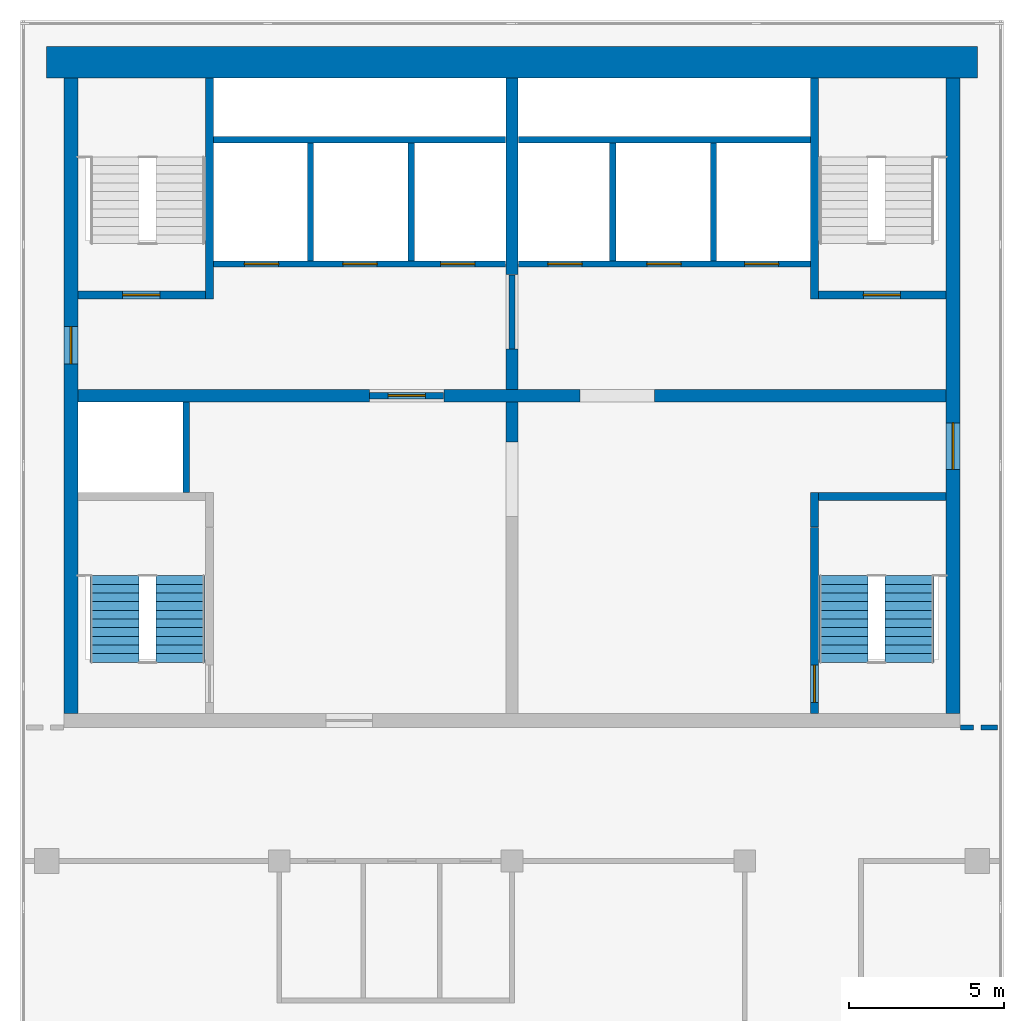
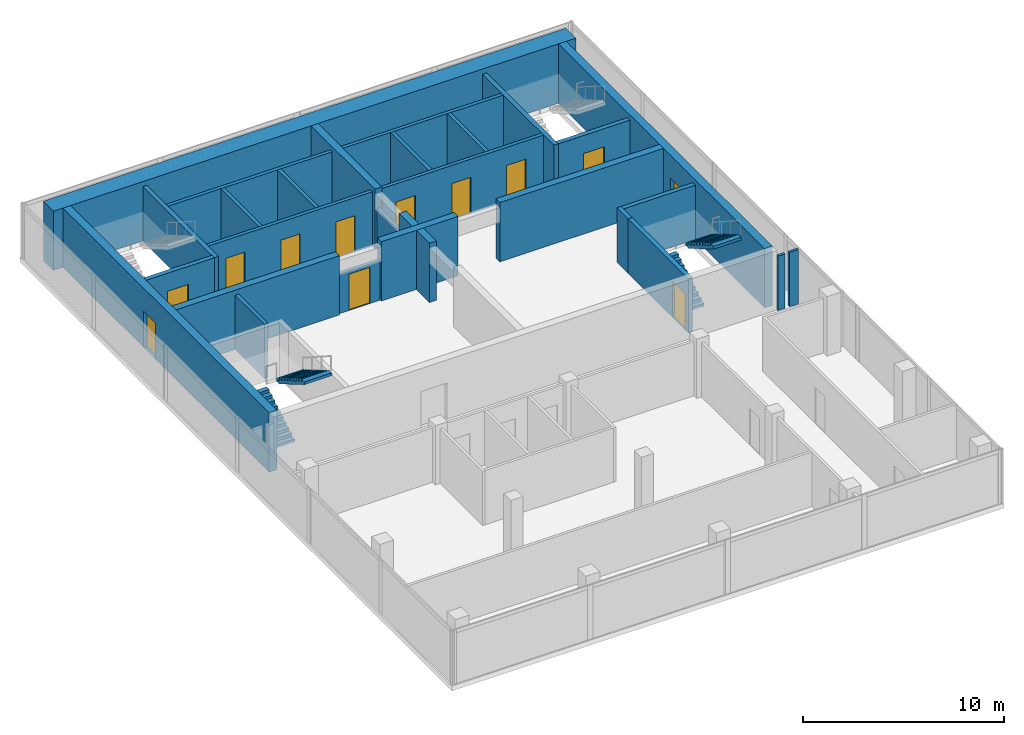
# One storey, part 3 of 5: 29 walls, 12 doors, 4 stair flights, 12 openings, 2 elements without a shape of their own.
"""IFC4 building model written with IfcOpenShell, lengths in metres."""

from ifc_helpers import new_model, si_unit, direction, frame, frame_2d, origin, place, context, subcontext, project, spatial, polyline, rectangle, outline, extrude, material, layer, layer_set, type_object, element, fill, aggregate, save


model = new_model("IFC4")

# Units and contexts
model_context = context("Model", 3, precision=1e-05, world=origin(), true_north=direction((0.0, 1.0)))
body_context = subcontext(model_context, "Body", "Model", "MODEL_VIEW")
ifc_project = project(units=[si_unit("LENGTHUNIT", "METRE"), si_unit("AREAUNIT", "SQUARE_METRE"), si_unit("VOLUMEUNIT", "CUBIC_METRE"), si_unit("PLANEANGLEUNIT", "RADIAN"), si_unit("MASSUNIT", "GRAM", prefix="KILO")], contexts=[model_context])

# Site, building, storey
site_placement = place(None, origin())
site = spatial("IfcSite", under=ifc_project, at=site_placement, CompositionType="ELEMENT")
building_placement = place(site_placement, origin())
building = spatial("IfcBuilding", under=site, at=building_placement, Name="Pilkhan Gate Tower", CompositionType="ELEMENT")
storey_placement = place(building_placement, frame((0.0, 0.0, 276.5)))
storey = spatial("IfcBuildingStorey", under=building, at=storey_placement, Name="L72", CompositionType="ELEMENT", Elevation=276.5)

# Wall
ifc_material_1 = material(Name="Concrete C50/60", Category="concrete")
ifc_layer_1 = layer(ifc_material_1, 1.0)
ifc_layer_set_1 = layer_set([ifc_layer_1], Name="Core wall CW1000 C50/60")
wall_type_1 = type_object("IfcWallType", Name="Core wall CW1000 C50/60", PredefinedType="SHEAR", material=ifc_layer_set_1)
wall_1_placement = place(storey_placement, frame((90.0, 93.25, 0.0), z_axis=(0.0, 0.0, 1.0), x_axis=(-1.0, 0.0, 0.0)))
element("IfcWall", 1, at=wall_1_placement, inside=storey, type_object=wall_type_1, Name="Core wall N L72", PredefinedType="SHEAR", context=body_context, shape_type="SweptSolid", body=[
    extrude(rectangle(XDim=30.0, YDim=1.0, at=frame_2d((15.0, 0.0))), origin(), (0.0, 0.0, 1.0), 3.60009765625),
])

# Wall, opening, door
ifc_layer_2 = layer(ifc_material_1, 0.449951171875)
ifc_layer_set_2 = layer_set([ifc_layer_2], Name="Core wall CW450 C50/60")
wall_type_2 = type_object("IfcWallType", Name="Core wall CW450 C50/60", PredefinedType="SHEAR", material=ifc_layer_set_2)
wall_2_placement = place(storey_placement, frame((89.22509765625, 72.25, 0.0), z_axis=(0.0, 0.0, 1.0), x_axis=(0.0, 1.0, 0.0)))
wall_2 = element("IfcWall", 2, at=wall_2_placement, inside=storey, type_object=wall_type_2, Name="Core wall E L72", PredefinedType="SHEAR", context=body_context, shape_type="SweptSolid", body=[
    extrude(rectangle(XDim=20.5, YDim=0.449951171875, at=frame_2d((10.25, 0.0))), origin(), (0.0, 0.0, 1.0), 3.60009765625),
])
opening_1_placement = place(wall_2_placement, frame((7.875, 0.0, 0.0)))
opening_1 = element("IfcOpeningElement", 3, at=opening_1_placement, cuts=wall_2, Name="Opening L72-07", PredefinedType="OPENING", context=body_context, shape_type="SweptSolid", body=[
    extrude(rectangle(XDim=1.5, YDim=2.199951171875, at=frame_2d((0.75, 1.10009765625))), frame((0.0, 0.23486328125, 0.0), z_axis=(0.0, -1.0, 0.0), x_axis=(1.0, 0.0, 0.0)), (0.0, 0.0, 1.0), 0.469970703125),
])
ifc_material_2 = material(Name="Steel framed glazed door, 60 minute fire resisting", Category="steel")
door_type_1 = type_object("IfcDoorType", Name="Lobby door D09 1500x2200", OperationType="DOUBLE_DOOR_SINGLE_SWING", PredefinedType="DOOR", material=ifc_material_2)
door_1_placement = place(opening_1_placement, origin())
door_1 = element("IfcDoor", 4, at=door_1_placement, inside=storey, type_object=door_type_1, Name="Core door", OperationType="DOUBLE_DOOR_SINGLE_SWING", OverallHeight=2.199951171875, OverallWidth=1.5, PredefinedType="DOOR", context=body_context, shape_type="SweptSolid", body=[
    extrude(rectangle(XDim=1.5, YDim=2.199951171875, at=frame_2d((0.75, 1.10009765625))), frame((0.0, 0.02490234375, 0.0), z_axis=(0.0, -1.0, 0.0), x_axis=(1.0, 0.0, 0.0)), (0.0, 0.0, 1.0), 0.050048828125),
])
fill(opening_1, door_1)

wall_3_placement = place(storey_placement, frame((60.77490234375, 92.75, 0.0), z_axis=(0.0, 0.0, 1.0), x_axis=(0.0, -1.0, 0.0)))
wall_3 = element("IfcWall", 5, at=wall_3_placement, inside=storey, type_object=wall_type_2, Name="Core wall W L72", PredefinedType="SHEAR", context=body_context, shape_type="SweptSolid", body=[
    extrude(rectangle(XDim=20.5, YDim=0.449951171875, at=frame_2d((10.25, 0.0))), origin(), (0.0, 0.0, 1.0), 3.60009765625),
])
opening_2_placement = place(wall_3_placement, frame((8.02490234375, 0.0, 0.0)))
opening_2 = element("IfcOpeningElement", 6, at=opening_2_placement, cuts=wall_3, Name="Opening L72-08", PredefinedType="OPENING", context=body_context, shape_type="SweptSolid", body=[
    extrude(rectangle(XDim=1.199951171875, YDim=2.199951171875, at=frame_2d((0.60009765625, 1.10009765625))), frame((0.0, 0.23486328125, 0.0), z_axis=(0.0, -1.0, 0.0), x_axis=(1.0, 0.0, 0.0)), (0.0, 0.0, 1.0), 0.469970703125),
])
ifc_material_3 = material(Name="Steel door, 120 minute fire resisting, self-closing", Category="steel")
door_type_2 = type_object("IfcDoorType", Name="Firefighting lobby door D10 1200x2200", OperationType="SINGLE_SWING_LEFT", PredefinedType="DOOR", material=ifc_material_3)
door_2_placement = place(opening_2_placement, origin())
door_2 = element("IfcDoor", 7, at=door_2_placement, inside=storey, type_object=door_type_2, Name="Core door", OperationType="SINGLE_SWING_RIGHT", OverallHeight=2.199951171875, OverallWidth=1.199951171875, PredefinedType="DOOR", context=body_context, shape_type="SweptSolid", body=[
    extrude(rectangle(XDim=1.199951171875, YDim=2.199951171875, at=frame_2d((0.60009765625, 1.10009765625))), frame((0.0, 0.02490234375, 0.0), z_axis=(0.0, -1.0, 0.0), x_axis=(1.0, 0.0, 0.0)), (0.0, 0.0, 1.0), 0.050048828125),
])
fill(opening_2, door_2)

ifc_material_4 = material(Name="Dense blockwork", Category="masonry")
ifc_layer_3 = layer(ifc_material_4, 0.199951171875)
ifc_layer_set_3 = layer_set([ifc_layer_3], Name="Lobby wall LW200")
wall_type_3 = type_object("IfcWallType", Name="Lobby wall LW200", PredefinedType="PARTITIONING", material=ifc_layer_set_3)
wall_4_placement = place(storey_placement, frame((70.409912109375, 82.5, 0.0), z_axis=(0.0, 0.0, 1.0), x_axis=(1.0, 0.0, 0.0)))
wall_4 = element("IfcWall", 8, at=wall_4_placement, inside=storey, type_object=wall_type_3, Name="Partition L72", PredefinedType="PARTITIONING", context=body_context, shape_type="SweptSolid", body=[
    extrude(rectangle(XDim=2.380126953125, YDim=0.199951171875, at=frame_2d((1.18994140625, 0.0))), origin(), (0.0, 0.0, 1.0), 2.39990234375),
])
opening_3_placement = place(wall_4_placement, frame((0.60009765625, 0.0, 0.0)))
opening_3 = element("IfcOpeningElement", 9, at=opening_3_placement, cuts=wall_4, Name="Opening L72-01", PredefinedType="OPENING", context=body_context, shape_type="SweptSolid", body=[
    extrude(rectangle(XDim=1.199951171875, YDim=2.199951171875, at=frame_2d((0.60009765625, 1.10009765625))), frame((0.0, 0.10986328125, 0.0), z_axis=(0.0, -1.0, 0.0), x_axis=(1.0, 0.0, 0.0)), (0.0, 0.0, 1.0), 0.219970703125),
])
door_3_placement = place(opening_3_placement, origin())
door_3 = element("IfcDoor", 10, at=door_3_placement, inside=storey, type_object=door_type_2, Name="Firefighting lobby door", OperationType="SINGLE_SWING_LEFT", OverallHeight=2.199951171875, OverallWidth=1.199951171875, PredefinedType="DOOR", context=body_context, shape_type="SweptSolid", body=[
    extrude(rectangle(XDim=1.199951171875, YDim=2.199951171875, at=frame_2d((0.60009765625, 1.10009765625))), frame((0.0, 0.02490234375, 0.0), z_axis=(0.0, -1.0, 0.0), x_axis=(1.0, 0.0, 0.0)), (0.0, 0.0, 1.0), 0.050048828125),
])
fill(opening_3, door_3)

# Walls
wall_5_placement = place(storey_placement, frame((75.0, 84.010009765625, 0.0), z_axis=(0.0, 0.0, 1.0), x_axis=(0.0, 1.0, 0.0)))
element("IfcWall", 11, at=wall_5_placement, inside=storey, type_object=wall_type_3, Name="Partition L72", PredefinedType="PARTITIONING", context=body_context, shape_type="SweptSolid", body=[
    extrude(rectangle(XDim=2.3798828125, YDim=0.199951171875, at=frame_2d((1.18994140625, 0.0))), origin(), (0.0, 0.0, 1.0), 2.39990234375),
])
ifc_material_5 = material(Name="Blockwork partition, plastered both sides", Category="masonry")
ifc_layer_4 = layer(ifc_material_5, 0.14990234375)
ifc_layer_set_4 = layer_set([ifc_layer_4], Name="Partition PW150")
wall_type_4 = type_object("IfcWallType", Name="Partition PW150", PredefinedType="PARTITIONING", material=ifc_layer_set_4)
wall_6_placement = place(storey_placement, frame((89.4599609375, 71.800048828125, 0.0), z_axis=(0.0, 0.0, 1.0), x_axis=(1.0, 0.0, 0.0)))
element("IfcWall", 12, at=wall_6_placement, inside=storey, type_object=wall_type_4, Name="Partition L72", PredefinedType="PARTITIONING", context=body_context, shape_type="SweptSolid", body=[
    extrude(rectangle(XDim=0.419921875, YDim=0.14990234375, at=frame_2d((0.2099609375, 0.0))), origin(), (0.0, 0.0, 1.0), 3.300048828125),
])
wall_7_placement = place(storey_placement, frame((90.1201171875, 71.800048828125, 0.0), z_axis=(0.0, 0.0, 1.0), x_axis=(1.0, 0.0, 0.0)))
element("IfcWall", 13, at=wall_7_placement, inside=storey, type_object=wall_type_4, Name="Partition L72", PredefinedType="PARTITIONING", context=body_context, shape_type="SweptSolid", body=[
    extrude(rectangle(XDim=0.52490234375, YDim=0.14990234375, at=frame_2d((0.262451171875, 0.0))), origin(), (0.0, 0.0, 1.0), 3.300048828125),
])

# Wall, openings, doors
ifc_material_6 = material(Name="Reinforced blockwork shaft wall, 120 minute fire resisting", Category="masonry")
ifc_layer_5 = layer(ifc_material_6, 0.199951171875)
ifc_layer_set_5 = layer_set([ifc_layer_5], Name="Shaft wall SW200")
wall_type_5 = type_object("IfcWallType", Name="Shaft wall SW200", PredefinedType="PARTITIONING", material=ifc_layer_set_5)
wall_8_placement = place(storey_placement, frame((65.375, 86.75, 0.0), z_axis=(0.0, 0.0, 1.0), x_axis=(1.0, 0.0, 0.0)))
wall_8 = element("IfcWall", 14, at=wall_8_placement, inside=storey, type_object=wall_type_5, Name="Partition L72", PredefinedType="PARTITIONING", context=body_context, shape_type="SweptSolid", body=[
    extrude(rectangle(XDim=9.4150390625, YDim=0.199951171875, at=frame_2d((4.70751953125, 0.0))), origin(), (0.0, 0.0, 1.0), 3.300048828125),
])
opening_4_placement = place(wall_8_placement, frame((1.0, 0.0, 0.0)))
opening_4 = element("IfcOpeningElement", 15, at=opening_4_placement, cuts=wall_8, Name="Opening LD", PredefinedType="OPENING", context=body_context, shape_type="SweptSolid", body=[
    extrude(rectangle(XDim=1.10009765625, YDim=2.199951171875, at=frame_2d((0.550048828125, 1.10009765625))), frame((0.0, 0.10986328125, 0.0), z_axis=(0.0, -1.0, 0.0), x_axis=(1.0, 0.0, 0.0)), (0.0, 0.0, 1.0), 0.219970703125),
])
opening_5_placement = place(wall_8_placement, frame((4.175048828125, 0.0, 0.0)))
opening_5 = element("IfcOpeningElement", 16, at=opening_5_placement, cuts=wall_8, Name="Opening LD", PredefinedType="OPENING", context=body_context, shape_type="SweptSolid", body=[
    extrude(rectangle(XDim=1.10009765625, YDim=2.199951171875, at=frame_2d((0.550048828125, 1.10009765625))), frame((0.0, 0.10986328125, 0.0), z_axis=(0.0, -1.0, 0.0), x_axis=(1.0, 0.0, 0.0)), (0.0, 0.0, 1.0), 0.219970703125),
])
opening_6_placement = place(wall_8_placement, frame((7.324951171875, 0.0, 0.0)))
opening_6 = element("IfcOpeningElement", 17, at=opening_6_placement, cuts=wall_8, Name="Opening LD", PredefinedType="OPENING", context=body_context, shape_type="SweptSolid", body=[
    extrude(rectangle(XDim=1.10009765625, YDim=2.199951171875, at=frame_2d((0.550048828125, 1.10009765625))), frame((0.0, 0.10986328125, 0.0), z_axis=(0.0, -1.0, 0.0), x_axis=(1.0, 0.0, 0.0)), (0.0, 0.0, 1.0), 0.219970703125),
])
ifc_material_7 = material(Name="Stainless steel centre-opening landing door, 120 minute fire resisting", Category="steel")
door_type_3 = type_object("IfcDoorType", Name="Lift landing door LD 1100x2200", OperationType="DOUBLE_DOOR_SLIDING", PredefinedType="DOOR", material=ifc_material_7)
door_4_placement = place(opening_4_placement, origin())
door_4 = element("IfcDoor", 18, at=door_4_placement, inside=storey, type_object=door_type_3, Name="Landing door FF1", OperationType="DOUBLE_DOOR_SLIDING", OverallHeight=2.199951171875, OverallWidth=1.10009765625, PredefinedType="DOOR", context=body_context, shape_type="SweptSolid", body=[
    extrude(rectangle(XDim=1.10009765625, YDim=2.199951171875, at=frame_2d((0.550048828125, 1.10009765625))), frame((0.0, 0.02490234375, 0.0), z_axis=(0.0, -1.0, 0.0), x_axis=(1.0, 0.0, 0.0)), (0.0, 0.0, 1.0), 0.050048828125),
])
fill(opening_4, door_4)
door_5_placement = place(opening_5_placement, origin())
door_5 = element("IfcDoor", 19, at=door_5_placement, inside=storey, type_object=door_type_3, Name="Landing door FF2", OperationType="DOUBLE_DOOR_SLIDING", OverallHeight=2.199951171875, OverallWidth=1.10009765625, PredefinedType="DOOR", context=body_context, shape_type="SweptSolid", body=[
    extrude(rectangle(XDim=1.10009765625, YDim=2.199951171875, at=frame_2d((0.550048828125, 1.10009765625))), frame((0.0, 0.02490234375, 0.0), z_axis=(0.0, -1.0, 0.0), x_axis=(1.0, 0.0, 0.0)), (0.0, 0.0, 1.0), 0.050048828125),
])
fill(opening_5, door_5)
door_6_placement = place(opening_6_placement, origin())
door_6 = element("IfcDoor", 20, at=door_6_placement, inside=storey, type_object=door_type_3, Name="Landing door SV1", OperationType="DOUBLE_DOOR_SLIDING", OverallHeight=2.199951171875, OverallWidth=1.10009765625, PredefinedType="DOOR", context=body_context, shape_type="SweptSolid", body=[
    extrude(rectangle(XDim=1.10009765625, YDim=2.199951171875, at=frame_2d((0.550048828125, 1.10009765625))), frame((0.0, 0.02490234375, 0.0), z_axis=(0.0, -1.0, 0.0), x_axis=(1.0, 0.0, 0.0)), (0.0, 0.0, 1.0), 0.050048828125),
])
fill(opening_6, door_6)

wall_9_placement = place(storey_placement, frame((75.2099609375, 86.75, 0.0), z_axis=(0.0, 0.0, 1.0), x_axis=(1.0, 0.0, 0.0)))
wall_9 = element("IfcWall", 21, at=wall_9_placement, inside=storey, type_object=wall_type_5, Name="Partition L72", PredefinedType="PARTITIONING", context=body_context, shape_type="SweptSolid", body=[
    extrude(rectangle(XDim=9.4150390625, YDim=0.199951171875, at=frame_2d((4.70751953125, 0.0))), origin(), (0.0, 0.0, 1.0), 3.300048828125),
])
opening_7_placement = place(wall_9_placement, frame((0.949951171875, 0.0, 0.0)))
opening_7 = element("IfcOpeningElement", 22, at=opening_7_placement, cuts=wall_9, Name="Opening LD", PredefinedType="OPENING", context=body_context, shape_type="SweptSolid", body=[
    extrude(rectangle(XDim=1.10009765625, YDim=2.199951171875, at=frame_2d((0.550048828125, 1.10009765625))), frame((0.0, 0.10986328125, 0.0), z_axis=(0.0, -1.0, 0.0), x_axis=(1.0, 0.0, 0.0)), (0.0, 0.0, 1.0), 0.219970703125),
])
opening_8_placement = place(wall_9_placement, frame((4.139892578125, 0.0, 0.0)))
opening_8 = element("IfcOpeningElement", 23, at=opening_8_placement, cuts=wall_9, Name="Opening LD", PredefinedType="OPENING", context=body_context, shape_type="SweptSolid", body=[
    extrude(rectangle(XDim=1.10009765625, YDim=2.199951171875, at=frame_2d((0.550048828125, 1.10009765625))), frame((0.0, 0.10986328125, 0.0), z_axis=(0.0, -1.0, 0.0), x_axis=(1.0, 0.0, 0.0)), (0.0, 0.0, 1.0), 0.219970703125),
])
opening_9_placement = place(wall_9_placement, frame((7.2900390625, 0.0, 0.0)))
opening_9 = element("IfcOpeningElement", 24, at=opening_9_placement, cuts=wall_9, Name="Opening LD", PredefinedType="OPENING", context=body_context, shape_type="SweptSolid", body=[
    extrude(rectangle(XDim=1.10009765625, YDim=2.199951171875, at=frame_2d((0.550048828125, 1.10009765625))), frame((0.0, 0.10986328125, 0.0), z_axis=(0.0, -1.0, 0.0), x_axis=(1.0, 0.0, 0.0)), (0.0, 0.0, 1.0), 0.219970703125),
])
door_7_placement = place(opening_7_placement, origin())
door_7 = element("IfcDoor", 25, at=door_7_placement, inside=storey, type_object=door_type_3, Name="Landing door HR1", OperationType="DOUBLE_DOOR_SLIDING", OverallHeight=2.199951171875, OverallWidth=1.10009765625, PredefinedType="DOOR", context=body_context, shape_type="SweptSolid", body=[
    extrude(rectangle(XDim=1.10009765625, YDim=2.199951171875, at=frame_2d((0.550048828125, 1.10009765625))), frame((0.0, 0.02490234375, 0.0), z_axis=(0.0, -1.0, 0.0), x_axis=(1.0, 0.0, 0.0)), (0.0, 0.0, 1.0), 0.050048828125),
])
fill(opening_7, door_7)
door_8_placement = place(opening_8_placement, origin())
door_8 = element("IfcDoor", 26, at=door_8_placement, inside=storey, type_object=door_type_3, Name="Landing door HR2", OperationType="DOUBLE_DOOR_SLIDING", OverallHeight=2.199951171875, OverallWidth=1.10009765625, PredefinedType="DOOR", context=body_context, shape_type="SweptSolid", body=[
    extrude(rectangle(XDim=1.10009765625, YDim=2.199951171875, at=frame_2d((0.550048828125, 1.10009765625))), frame((0.0, 0.02490234375, 0.0), z_axis=(0.0, -1.0, 0.0), x_axis=(1.0, 0.0, 0.0)), (0.0, 0.0, 1.0), 0.050048828125),
])
fill(opening_8, door_8)
door_9_placement = place(opening_9_placement, origin())
door_9 = element("IfcDoor", 27, at=door_9_placement, inside=storey, type_object=door_type_3, Name="Landing door HR3", OperationType="DOUBLE_DOOR_SLIDING", OverallHeight=2.199951171875, OverallWidth=1.10009765625, PredefinedType="DOOR", context=body_context, shape_type="SweptSolid", body=[
    extrude(rectangle(XDim=1.10009765625, YDim=2.199951171875, at=frame_2d((0.550048828125, 1.10009765625))), frame((0.0, 0.02490234375, 0.0), z_axis=(0.0, -1.0, 0.0), x_axis=(1.0, 0.0, 0.0)), (0.0, 0.0, 1.0), 0.050048828125),
])
fill(opening_9, door_9)

# Walls
for number, where, z_axis, x_axis, name in (
    (28, (65.375, 90.75, 0.0), (0.0, 0.0, 1.0), (1.0, 0.0, 0.0), "Partition L72"),
    (29, (75.2099609375, 90.75, 0.0), (0.0, 0.0, 1.0), (1.0, 0.0, 0.0), "Partition L72"),
):
    element("IfcWall", number, at=place(storey_placement, frame(where, z_axis=z_axis, x_axis=x_axis)), inside=storey, type_object=wall_type_5, Name=name, PredefinedType="PARTITIONING", context=body_context, shape_type="SweptSolid", body=[
        extrude(rectangle(XDim=9.4150390625, YDim=0.199951171875, at=frame_2d((4.70751953125, 0.0))), origin(), (0.0, 0.0, 1.0), 3.300048828125),
    ])
wall_10_placement = place(storey_placement, frame((64.5, 79.375, 0.0), z_axis=(0.0, 0.0, 1.0), x_axis=(0.0, 1.0, 0.0)))
element("IfcWall", 30, at=wall_10_placement, inside=storey, type_object=wall_type_5, Name="Partition L72", PredefinedType="PARTITIONING", context=body_context, shape_type="SweptSolid", body=[
    extrude(rectangle(XDim=2.9150390625, YDim=0.199951171875, at=frame_2d((1.45751953125, 0.0))), origin(), (0.0, 0.0, 1.0), 3.300048828125),
])
for number, where, z_axis, x_axis, name in (
    (31, (68.5, 86.85009765625, 0.0), (0.0, 0.0, 1.0), (0.0, 1.0, 0.0), "Partition L72"),
    (32, (71.75, 86.85009765625, 0.0), (0.0, 0.0, 1.0), (0.0, 1.0, 0.0), "Partition L72"),
    (33, (78.25, 86.85009765625, 0.0), (0.0, 0.0, 1.0), (0.0, 1.0, 0.0), "Partition L72"),
    (34, (81.5, 86.85009765625, 0.0), (0.0, 0.0, 1.0), (0.0, 1.0, 0.0), "Partition L72"),
):
    element("IfcWall", number, at=place(storey_placement, frame(where, z_axis=z_axis, x_axis=x_axis)), inside=storey, type_object=wall_type_5, Name=name, PredefinedType="PARTITIONING", context=body_context, shape_type="SweptSolid", body=[
        extrude(rectangle(XDim=3.7998046875, YDim=0.199951171875, at=frame_2d((1.89990234375, 0.0))), origin(), (0.0, 0.0, 1.0), 3.300048828125),
    ])
ifc_layer_6 = layer(ifc_material_1, 0.39990234375)
ifc_layer_set_6 = layer_set([ifc_layer_6], Name="Spine wall SW400 C50/60")
wall_type_6 = type_object("IfcWallType", Name="Spine wall SW400 C50/60", PredefinedType="SHEAR", material=ifc_layer_set_6)
wall_11_placement = place(storey_placement, frame((61.0, 82.5, 0.0), z_axis=(0.0, 0.0, 1.0), x_axis=(1.0, 0.0, 0.0)))
element("IfcWall", 35, at=wall_11_placement, inside=storey, type_object=wall_type_6, Name="Spine wall SP-EW1 L72", PredefinedType="SHEAR", context=body_context, shape_type="SweptSolid", body=[
    extrude(rectangle(XDim=9.39990234375, YDim=0.39990234375, at=frame_2d((4.699951171875, 0.0))), origin(), (0.0, 0.0, 1.0), 3.60009765625),
])
wall_12_placement = place(storey_placement, frame((72.800048828125, 82.5, 0.0), z_axis=(0.0, 0.0, 1.0), x_axis=(1.0, 0.0, 0.0)))
element("IfcWall", 36, at=wall_12_placement, inside=storey, type_object=wall_type_6, Name="Spine wall SP-EW2 L72", PredefinedType="SHEAR", context=body_context, shape_type="SweptSolid", body=[
    extrude(rectangle(XDim=4.39990234375, YDim=0.39990234375, at=frame_2d((2.199951171875, 0.0))), origin(), (0.0, 0.0, 1.0), 3.60009765625),
])
wall_13_placement = place(storey_placement, frame((79.60009765625, 82.5, 0.0), z_axis=(0.0, 0.0, 1.0), x_axis=(1.0, 0.0, 0.0)))
element("IfcWall", 37, at=wall_13_placement, inside=storey, type_object=wall_type_6, Name="Spine wall SP-EW3 L72", PredefinedType="SHEAR", context=body_context, shape_type="SweptSolid", body=[
    extrude(rectangle(XDim=9.39990234375, YDim=0.39990234375, at=frame_2d((4.699951171875, 0.0))), origin(), (0.0, 0.0, 1.0), 3.60009765625),
])
for number, where, z_axis, x_axis, name in (
    (38, (75.0, 81.0, 0.0), (0.0, 0.0, 1.0), (0.0, 1.0, 0.0), "Spine wall SP-NS-S2 L72"),
    (39, (75.0, 82.699951171875, 0.0), (0.0, 0.0, 1.0), (0.0, 1.0, 0.0), "Spine wall SP-NS-N1 L72"),
):
    element("IfcWall", number, at=place(storey_placement, frame(where, z_axis=z_axis, x_axis=x_axis)), inside=storey, type_object=wall_type_6, Name=name, PredefinedType="SHEAR", context=body_context, shape_type="SweptSolid", body=[
        extrude(rectangle(XDim=1.300048828125, YDim=0.39990234375, at=frame_2d((0.64990234375, 0.0))), origin(), (0.0, 0.0, 1.0), 3.60009765625),
    ])
wall_14_placement = place(storey_placement, frame((75.0, 86.39990234375, 0.0), z_axis=(0.0, 0.0, 1.0), x_axis=(0.0, 1.0, 0.0)))
element("IfcWall", 40, at=wall_14_placement, inside=storey, type_object=wall_type_6, Name="Spine wall SP-NS-N2 L72", PredefinedType="SHEAR", context=body_context, shape_type="SweptSolid", body=[
    extrude(rectangle(XDim=6.35009765625, YDim=0.39990234375, at=frame_2d((3.175048828125, 0.0))), origin(), (0.0, 0.0, 1.0), 3.60009765625),
])
ifc_material_8 = material(Name="Reinforced blockwork, 120 minute fire resisting", Category="masonry")
ifc_layer_7 = layer(ifc_material_8, 0.25)
ifc_layer_set_7 = layer_set([ifc_layer_7], Name="Stair enclosure wall SE250")
wall_type_7 = type_object("IfcWallType", Name="Stair enclosure wall SE250", PredefinedType="PARTITIONING", material=ifc_layer_set_7)
wall_15_placement = place(storey_placement, frame((84.875, 79.25, 0.0), z_axis=(0.0, 0.0, 1.0), x_axis=(1.0, 0.0, 0.0)))
element("IfcWall", 41, at=wall_15_placement, inside=storey, type_object=wall_type_7, Name="Partition L72", PredefinedType="PARTITIONING", context=body_context, shape_type="SweptSolid", body=[
    extrude(rectangle(XDim=4.114990234375, YDim=0.25, at=frame_2d((2.0576171875, 0.0))), origin(), (0.0, 0.0, 1.0), 3.300048828125),
])

# Wall, opening, door
wall_16_placement = place(storey_placement, frame((61.0, 85.75, 0.0), z_axis=(0.0, 0.0, 1.0), x_axis=(1.0, 0.0, 0.0)))
wall_16 = element("IfcWall", 42, at=wall_16_placement, inside=storey, type_object=wall_type_7, Name="Partition L72", PredefinedType="PARTITIONING", context=body_context, shape_type="SweptSolid", body=[
    extrude(rectangle(XDim=4.125, YDim=0.25, at=frame_2d((2.0625, 0.0))), origin(), (0.0, 0.0, 1.0), 3.300048828125),
])
opening_10_placement = place(wall_16_placement, frame((1.449951171875, 0.0, 0.0)))
opening_10 = element("IfcOpeningElement", 43, at=opening_10_placement, cuts=wall_16, Name="Opening L72-02", PredefinedType="OPENING", context=body_context, shape_type="SweptSolid", body=[
    extrude(rectangle(XDim=1.199951171875, YDim=2.199951171875, at=frame_2d((0.60009765625, 1.10009765625))), frame((0.0, 0.135009765625, 0.0), z_axis=(0.0, -1.0, 0.0), x_axis=(1.0, 0.0, 0.0)), (0.0, 0.0, 1.0), 0.27001953125),
])
ifc_material_9 = material(Name="Steel door, 120 minute fire resisting, panic bar", Category="steel")
door_type_4 = type_object("IfcDoorType", Name="Stair door D11 1200x2200", OperationType="SINGLE_SWING_LEFT", PredefinedType="DOOR", material=ifc_material_9)
door_10_placement = place(opening_10_placement, origin())
door_10 = element("IfcDoor", 44, at=door_10_placement, inside=storey, type_object=door_type_4, Name="Stair ST3 lobby door", OperationType="SINGLE_SWING_RIGHT", OverallHeight=2.199951171875, OverallWidth=1.199951171875, PredefinedType="DOOR", context=body_context, shape_type="SweptSolid", body=[
    extrude(rectangle(XDim=1.199951171875, YDim=2.199951171875, at=frame_2d((0.60009765625, 1.10009765625))), frame((0.0, 0.02490234375, 0.0), z_axis=(0.0, -1.0, 0.0), x_axis=(1.0, 0.0, 0.0)), (0.0, 0.0, 1.0), 0.050048828125),
])
fill(opening_10, door_10)

wall_17_placement = place(storey_placement, frame((84.875, 85.75, 0.0), z_axis=(0.0, 0.0, 1.0), x_axis=(1.0, 0.0, 0.0)))
wall_17 = element("IfcWall", 45, at=wall_17_placement, inside=storey, type_object=wall_type_7, Name="Partition L72", PredefinedType="PARTITIONING", context=body_context, shape_type="SweptSolid", body=[
    extrude(rectangle(XDim=4.114990234375, YDim=0.25, at=frame_2d((2.0576171875, 0.0))), origin(), (0.0, 0.0, 1.0), 3.300048828125),
])
opening_11_placement = place(wall_17_placement, frame((1.449951171875, 0.0, 0.0)))
opening_11 = element("IfcOpeningElement", 46, at=opening_11_placement, cuts=wall_17, Name="Opening L72-03", PredefinedType="OPENING", context=body_context, shape_type="SweptSolid", body=[
    extrude(rectangle(XDim=1.199951171875, YDim=2.199951171875, at=frame_2d((0.60009765625, 1.10009765625))), frame((0.0, 0.135009765625, 0.0), z_axis=(0.0, -1.0, 0.0), x_axis=(1.0, 0.0, 0.0)), (0.0, 0.0, 1.0), 0.27001953125),
])
door_11_placement = place(opening_11_placement, origin())
door_11 = element("IfcDoor", 47, at=door_11_placement, inside=storey, type_object=door_type_4, Name="Stair ST4 lobby door", OperationType="SINGLE_SWING_RIGHT", OverallHeight=2.199951171875, OverallWidth=1.199951171875, PredefinedType="DOOR", context=body_context, shape_type="SweptSolid", body=[
    extrude(rectangle(XDim=1.199951171875, YDim=2.199951171875, at=frame_2d((0.60009765625, 1.10009765625))), frame((0.0, 0.02490234375, 0.0), z_axis=(0.0, -1.0, 0.0), x_axis=(1.0, 0.0, 0.0)), (0.0, 0.0, 1.0), 0.050048828125),
])
fill(opening_11, door_11)

# Wall
wall_18_placement = place(storey_placement, frame((65.25, 85.625, 0.0), z_axis=(0.0, 0.0, 1.0), x_axis=(0.0, 1.0, 0.0)))
element("IfcWall", 48, at=wall_18_placement, inside=storey, type_object=wall_type_7, Name="Partition L72", PredefinedType="PARTITIONING", context=body_context, shape_type="SweptSolid", body=[
    extrude(rectangle(XDim=7.114990234375, YDim=0.25, at=frame_2d((3.5576171875, 0.0))), origin(), (0.0, 0.0, 1.0), 3.300048828125),
])

# Wall, opening, door
wall_19_placement = place(storey_placement, frame((84.75, 72.260009765625, 0.0), z_axis=(0.0, 0.0, 1.0), x_axis=(0.0, 1.0, 0.0)))
wall_19 = element("IfcWall", 49, at=wall_19_placement, inside=storey, type_object=wall_type_7, Name="Partition L72", PredefinedType="PARTITIONING", context=body_context, shape_type="SweptSolid", body=[
    extrude(rectangle(XDim=5.989990234375, YDim=0.25, at=frame_2d((2.9951171875, 0.0))), origin(), (0.0, 0.0, 1.0), 3.300048828125),
])
opening_12_placement = place(wall_19_placement, frame((0.35009765625, 0.0, 0.0)))
opening_12 = element("IfcOpeningElement", 50, at=opening_12_placement, cuts=wall_19, Name="Opening L72-05", PredefinedType="OPENING", context=body_context, shape_type="SweptSolid", body=[
    extrude(rectangle(XDim=1.199951171875, YDim=2.199951171875, at=frame_2d((0.60009765625, 1.10009765625))), frame((0.0, 0.135009765625, 0.0), z_axis=(0.0, -1.0, 0.0), x_axis=(1.0, 0.0, 0.0)), (0.0, 0.0, 1.0), 0.27001953125),
])
door_12_placement = place(opening_12_placement, origin())
door_12 = element("IfcDoor", 51, at=door_12_placement, inside=storey, type_object=door_type_4, Name="Stair ST1 lobby door", OperationType="SINGLE_SWING_LEFT", OverallHeight=2.199951171875, OverallWidth=1.199951171875, PredefinedType="DOOR", context=body_context, shape_type="SweptSolid", body=[
    extrude(rectangle(XDim=1.199951171875, YDim=2.199951171875, at=frame_2d((0.60009765625, 1.10009765625))), frame((0.0, 0.02490234375, 0.0), z_axis=(0.0, -1.0, 0.0), x_axis=(1.0, 0.0, 0.0)), (0.0, 0.0, 1.0), 0.050048828125),
])
fill(opening_12, door_12)

# Walls
wall_20_placement = place(storey_placement, frame((84.75, 78.260009765625, 0.0), z_axis=(0.0, 0.0, 1.0), x_axis=(0.0, 1.0, 0.0)))
element("IfcWall", 52, at=wall_20_placement, inside=storey, type_object=wall_type_7, Name="Partition L72", PredefinedType="PARTITIONING", context=body_context, shape_type="SweptSolid", body=[
    extrude(rectangle(XDim=1.114990234375, YDim=0.25, at=frame_2d((0.5576171875, 0.0))), origin(), (0.0, 0.0, 1.0), 3.300048828125),
])
wall_21_placement = place(storey_placement, frame((84.75, 85.625, 0.0), z_axis=(0.0, 0.0, 1.0), x_axis=(0.0, 1.0, 0.0)))
element("IfcWall", 53, at=wall_21_placement, inside=storey, type_object=wall_type_7, Name="Partition L72", PredefinedType="PARTITIONING", context=body_context, shape_type="SweptSolid", body=[
    extrude(rectangle(XDim=7.114990234375, YDim=0.25, at=frame_2d((3.5576171875, 0.0))), origin(), (0.0, 0.0, 1.0), 3.300048828125),
])

# Stair, stair flights
ifc_material_10 = material(Name="Concrete C40/50 precast", Category="concrete")
stair_type_1 = type_object("IfcStairType", Name="Stair ST1 164x280", PredefinedType="HALF_TURN_STAIR", material=ifc_material_10)
stair_1_placement = place(storey_placement, origin())
stair_1 = element("IfcStair", 54, at=stair_1_placement, inside=storey, type_object=stair_type_1, Name="Stair ST1 L72", PredefinedType="HALF_TURN_STAIR")
stair_flight_type_1 = type_object("IfcStairFlightType", Name="Stair flight ST1 164x280x11", PredefinedType="STRAIGHT", material=ifc_material_10)
stair_flight_1_placement = place(storey_placement, frame((85.68994140625, 73.89990234375, 0.0), z_axis=(0.0, 0.0, 1.0), x_axis=(0.0, 1.0, 0.0)))
stair_flight_1 = element("IfcStairFlight", 55, at=stair_flight_1_placement, type_object=stair_flight_type_1, Name="ST1 flight 1", NumberOfRisers=11, NumberOfTreads=10, PredefinedType="STRAIGHT", RiserHeight=0.163636364, TreadLength=0.28, context=body_context, shape_type="SweptSolid", body=[
    extrude(outline(polyline([(0.0, 0.0), (0.0, 0.16357421875), (0.280029296875, 0.16357421875), (0.280029296875, 0.327392578125), (0.56005859375, 0.327392578125), (0.56005859375, 0.490966796875), (0.840087890625, 0.490966796875), (0.840087890625, 0.654541015625), (1.1201171875, 0.654541015625), (1.1201171875, 0.818115234375), (1.39990234375, 0.818115234375), (1.39990234375, 0.98193359375), (1.679931640625, 0.98193359375), (1.679931640625, 1.1455078125), (1.9599609375, 1.1455078125), (1.9599609375, 1.30908203125), (2.239990234375, 1.30908203125), (2.239990234375, 1.47265625), (2.52001953125, 1.47265625), (2.52001953125, 1.636474609375), (2.800048828125, 1.636474609375), (2.800048828125, 1.800048828125), (2.800048828125, 1.462646484375), (0.297119140625, 0.0), (0.0, 0.0)])), frame((0.0, 0.7900390625, 0.0), z_axis=(0.0, -1.0, 0.0), x_axis=(1.0, 0.0, 0.0)), (0.0, 0.0, 1.0), 1.580078125),
])
stair_flight_2_placement = place(storey_placement, frame((87.81005859375, 76.699951171875, 1.800048828125), z_axis=(0.0, 0.0, 1.0), x_axis=(0.0, -1.0, 0.0)))
stair_flight_2 = element("IfcStairFlight", 56, at=stair_flight_2_placement, type_object=stair_flight_type_1, Name="ST1 flight 2", NumberOfRisers=11, NumberOfTreads=10, PredefinedType="STRAIGHT", RiserHeight=0.163636364, TreadLength=0.28, context=body_context, shape_type="SweptSolid", body=[
    extrude(outline(polyline([(0.0, 0.0), (0.0, 0.16357421875), (0.280029296875, 0.16357421875), (0.280029296875, 0.327392578125), (0.56005859375, 0.327392578125), (0.56005859375, 0.490966796875), (0.840087890625, 0.490966796875), (0.840087890625, 0.654541015625), (1.1201171875, 0.654541015625), (1.1201171875, 0.818115234375), (1.39990234375, 0.818115234375), (1.39990234375, 0.98193359375), (1.679931640625, 0.98193359375), (1.679931640625, 1.1455078125), (1.9599609375, 1.1455078125), (1.9599609375, 1.30908203125), (2.239990234375, 1.30908203125), (2.239990234375, 1.47265625), (2.52001953125, 1.47265625), (2.52001953125, 1.636474609375), (2.800048828125, 1.636474609375), (2.800048828125, 1.800048828125), (2.800048828125, 1.462646484375), (0.297119140625, 0.0), (0.0, 0.0)])), frame((0.0, 0.7900390625, 0.0), z_axis=(0.0, -1.0, 0.0), x_axis=(1.0, 0.0, 0.0)), (0.0, 0.0, 1.0), 1.580078125),
])
aggregate(stair_1, [stair_flight_1, stair_flight_2])

stair_type_2 = type_object("IfcStairType", Name="Stair ST2 164x280", PredefinedType="HALF_TURN_STAIR", material=ifc_material_10)
stair_2_placement = place(storey_placement, origin())
stair_2 = element("IfcStair", 57, at=stair_2_placement, inside=storey, type_object=stair_type_2, Name="Stair ST2 L72", PredefinedType="HALF_TURN_STAIR")
stair_flight_type_2 = type_object("IfcStairFlightType", Name="Stair flight ST2 164x280x11", PredefinedType="STRAIGHT", material=ifc_material_10)
stair_flight_3_placement = place(storey_placement, frame((62.18994140625, 73.89990234375, 0.0), z_axis=(0.0, 0.0, 1.0), x_axis=(0.0, 1.0, 0.0)))
stair_flight_3 = element("IfcStairFlight", 58, at=stair_flight_3_placement, type_object=stair_flight_type_2, Name="ST2 flight 1", NumberOfRisers=11, NumberOfTreads=10, PredefinedType="STRAIGHT", RiserHeight=0.163636364, TreadLength=0.28, context=body_context, shape_type="SweptSolid", body=[
    extrude(outline(polyline([(0.0, 0.0), (0.0, 0.16357421875), (0.280029296875, 0.16357421875), (0.280029296875, 0.327392578125), (0.56005859375, 0.327392578125), (0.56005859375, 0.490966796875), (0.840087890625, 0.490966796875), (0.840087890625, 0.654541015625), (1.1201171875, 0.654541015625), (1.1201171875, 0.818115234375), (1.39990234375, 0.818115234375), (1.39990234375, 0.98193359375), (1.679931640625, 0.98193359375), (1.679931640625, 1.1455078125), (1.9599609375, 1.1455078125), (1.9599609375, 1.30908203125), (2.239990234375, 1.30908203125), (2.239990234375, 1.47265625), (2.52001953125, 1.47265625), (2.52001953125, 1.636474609375), (2.800048828125, 1.636474609375), (2.800048828125, 1.800048828125), (2.800048828125, 1.462646484375), (0.297119140625, 0.0), (0.0, 0.0)])), frame((0.0, 0.7900390625, 0.0), z_axis=(0.0, -1.0, 0.0), x_axis=(1.0, 0.0, 0.0)), (0.0, 0.0, 1.0), 1.580078125),
])
stair_flight_4_placement = place(storey_placement, frame((64.31005859375, 76.699951171875, 1.800048828125), z_axis=(0.0, 0.0, 1.0), x_axis=(0.0, -1.0, 0.0)))
stair_flight_4 = element("IfcStairFlight", 59, at=stair_flight_4_placement, type_object=stair_flight_type_2, Name="ST2 flight 2", NumberOfRisers=11, NumberOfTreads=10, PredefinedType="STRAIGHT", RiserHeight=0.163636364, TreadLength=0.28, context=body_context, shape_type="SweptSolid", body=[
    extrude(outline(polyline([(0.0, 0.0), (0.0, 0.16357421875), (0.280029296875, 0.16357421875), (0.280029296875, 0.327392578125), (0.56005859375, 0.327392578125), (0.56005859375, 0.490966796875), (0.840087890625, 0.490966796875), (0.840087890625, 0.654541015625), (1.1201171875, 0.654541015625), (1.1201171875, 0.818115234375), (1.39990234375, 0.818115234375), (1.39990234375, 0.98193359375), (1.679931640625, 0.98193359375), (1.679931640625, 1.1455078125), (1.9599609375, 1.1455078125), (1.9599609375, 1.30908203125), (2.239990234375, 1.30908203125), (2.239990234375, 1.47265625), (2.52001953125, 1.47265625), (2.52001953125, 1.636474609375), (2.800048828125, 1.636474609375), (2.800048828125, 1.800048828125), (2.800048828125, 1.462646484375), (0.297119140625, 0.0), (0.0, 0.0)])), frame((0.0, 0.7900390625, 0.0), z_axis=(0.0, -1.0, 0.0), x_axis=(1.0, 0.0, 0.0)), (0.0, 0.0, 1.0), 1.580078125),
])
aggregate(stair_2, [stair_flight_3, stair_flight_4])

save(model, "model.ifc")
